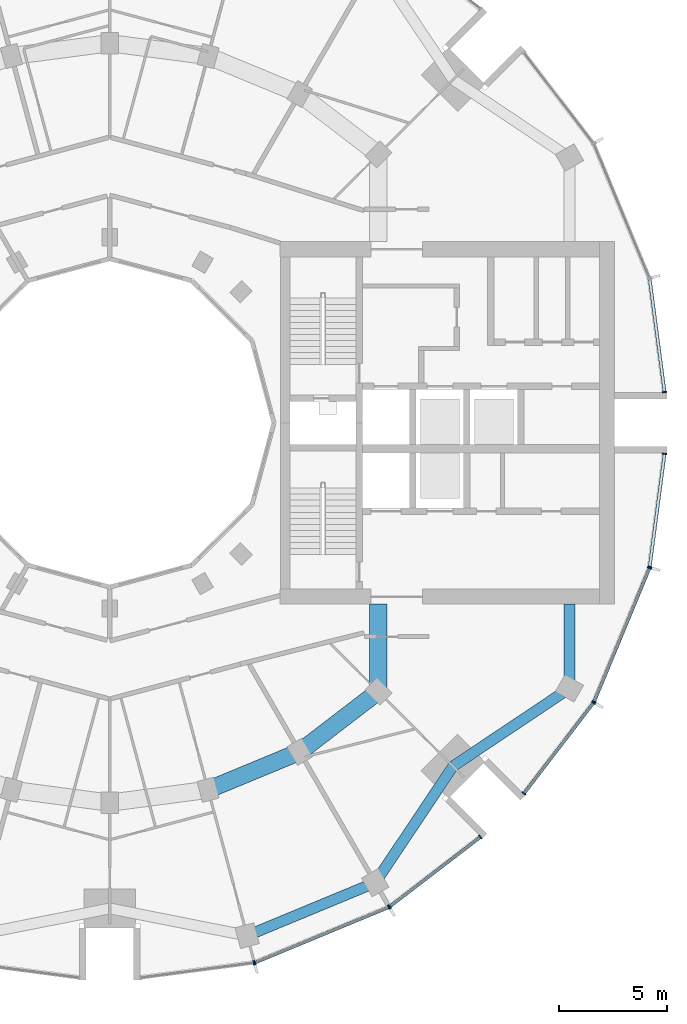
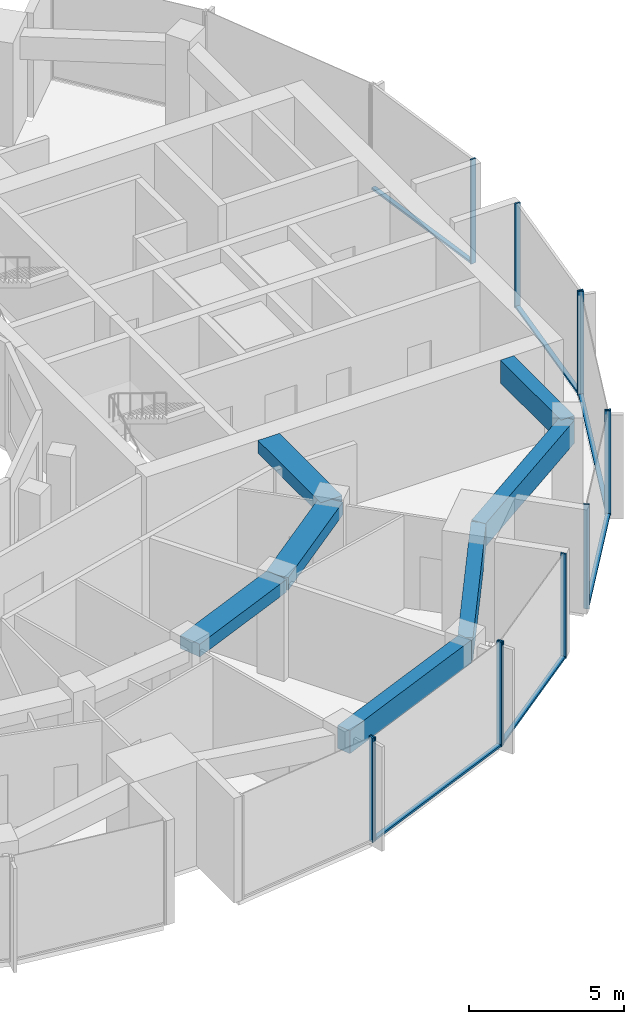
# One storey, part 4 of 15: 18 members, 7 beams, 7 elements without a shape of their own.
"""IFC4 building model written with IfcOpenShell, lengths in metres."""

from ifc_helpers import new_model, si_unit, direction, frame, origin, origin_2d, place, context, subcontext, project, spatial, rectangle, extrude, material, layer, layer_set, material_profile, profile_set, type_object, element, aggregate, save


model = new_model("IFC4")

# Units and contexts
model_context = context("Model", 3, precision=1e-05, world=origin(), true_north=direction((0.0, 1.0)))
body_context = subcontext(model_context, "Body", "Model", "MODEL_VIEW")
ifc_project = project(units=[si_unit("LENGTHUNIT", "METRE"), si_unit("AREAUNIT", "SQUARE_METRE"), si_unit("VOLUMEUNIT", "CUBIC_METRE"), si_unit("PLANEANGLEUNIT", "RADIAN"), si_unit("MASSUNIT", "GRAM", prefix="KILO")], contexts=[model_context])

# Site, building, storey
site_placement = place(None, origin())
site = spatial("IfcSite", under=ifc_project, at=site_placement, CompositionType="ELEMENT")
building_placement = place(site_placement, origin())
building = spatial("IfcBuilding", under=site, at=building_placement, Name="Torre Brocal", CompositionType="ELEMENT")
storey_placement = place(building_placement, frame((0.0, 0.0, 198.699951171875)))
storey = spatial("IfcBuildingStorey", under=building, at=storey_placement, Name="L46", CompositionType="ELEMENT", Elevation=198.699951171875)

# Curtain wall, member
ifc_material_1 = material(Name="Aluminium and glass", Category="aluminium")
ifc_layer_1 = layer(ifc_material_1, 0.199951171875)
ifc_layer_set_1 = layer_set([ifc_layer_1], Name="Aluminium and glass")
curtain_wall_type_1 = type_object("IfcCurtainWallType", Name="CW-1 CURTAIN WALL 4100 HIGH", PredefinedType="NOTDEFINED", material=ifc_layer_set_1)
curtain_wall_1_placement = place(storey_placement, origin())
curtain_wall_1 = element("IfcCurtainWall", 1, at=curtain_wall_1_placement, inside=storey, type_object=curtain_wall_type_1, Name="CW-1 RUN 19", PredefinedType="NOTDEFINED")
ifc_material_2 = material(Name="Aluminium, dark anodised", Category="aluminium")
ifc_material_profile_1 = material_profile(ifc_material_2, rectangle(XDim=0.199951171875, YDim=0.06005859375, at=origin_2d()), Name="CW-1 MULLION 60X200")
ifc_profile_set_1 = profile_set([ifc_material_profile_1], Name="Aluminium, dark anodised")
member_type_1 = type_object("IfcMemberType", Name="CW-1 MULLION 60X200", PredefinedType="MULLION", material=ifc_profile_set_1)
member_1_placement = place(storey_placement, frame((86.67333984375, 49.9794921875, 0.0), z_axis=(0.0, 0.0, 1.0), x_axis=(-0.13052619222, 0.991444861374, 0.0)))
member_1 = element("IfcMember", 2, at=member_1_placement, type_object=member_type_1, Name="CW1-4 mullion 2", PredefinedType="MULLION", context=body_context, shape_type="SweptSolid", body=[
    extrude(rectangle(XDim=0.199951171875, YDim=0.06005859375, at=origin_2d()), origin(), (0.0, 0.0, 1.0), 4.10009765625),
])
aggregate(curtain_wall_1, [member_1])

# Curtain wall, members
curtain_wall_2_placement = place(storey_placement, origin())
curtain_wall_2 = element("IfcCurtainWall", 3, at=curtain_wall_2_placement, inside=storey, type_object=curtain_wall_type_1, Name="CW-1 RUN 20", PredefinedType="NOTDEFINED")
member_2_placement = place(storey_placement, frame((86.73095703125, 49.994873046875, 0.0), z_axis=(0.0, 0.0, 1.0), x_axis=(-0.382683432333, 0.923879532525, 0.0)))
member_2 = element("IfcMember", 4, at=member_2_placement, type_object=member_type_1, Name="CW1-4 mullion 1", PredefinedType="MULLION", context=body_context, shape_type="SweptSolid", body=[
    extrude(rectangle(XDim=0.199951171875, YDim=0.06005859375, at=origin_2d()), origin(), (0.0, 0.0, 1.0), 4.10009765625),
])
member_3_placement = place(storey_placement, frame((92.921875, 52.559326171875, 0.0), z_axis=(0.0, 0.0, 1.0), x_axis=(-0.382683432333, 0.923879532525, 0.0)))
member_3 = element("IfcMember", 5, at=member_3_placement, type_object=member_type_1, Name="CW1-4 mullion 2", PredefinedType="MULLION", context=body_context, shape_type="SweptSolid", body=[
    extrude(rectangle(XDim=0.199951171875, YDim=0.06005859375, at=origin_2d()), origin(), (0.0, 0.0, 1.0), 4.10009765625),
])

curtain_wall_3_placement = place(storey_placement, origin())
curtain_wall_3 = element("IfcCurtainWall", 6, at=curtain_wall_3_placement, inside=storey, type_object=curtain_wall_type_1, Name="CW-1 RUN 21", PredefinedType="NOTDEFINED")
member_4_placement = place(storey_placement, frame((92.973388671875, 52.5888671875, 0.0), z_axis=(0.0, 0.0, 1.0), x_axis=(-0.60876142905, 0.793353340259, 0.0)))
member_4 = element("IfcMember", 7, at=member_4_placement, type_object=member_type_1, Name="CW1-4 mullion 1", PredefinedType="MULLION", context=body_context, shape_type="SweptSolid", body=[
    extrude(rectangle(XDim=0.199951171875, YDim=0.06005859375, at=origin_2d()), origin(), (0.0, 0.0, 1.0), 4.10009765625),
])
member_5_placement = place(storey_placement, frame((97.16943359375, 55.80859375, 0.0), z_axis=(0.0, 0.0, 1.0), x_axis=(-0.60876142905, 0.793353340259, 0.0)))
member_5 = element("IfcMember", 8, at=member_5_placement, type_object=member_type_1, Name="CW1-4 mullion 2", PredefinedType="MULLION", context=body_context, shape_type="SweptSolid", body=[
    extrude(rectangle(XDim=0.199951171875, YDim=0.06005859375, at=origin_2d()), origin(), (0.0, 0.0, 1.0), 4.10009765625),
])

curtain_wall_4_placement = place(storey_placement, origin())
curtain_wall_4 = element("IfcCurtainWall", 9, at=curtain_wall_4_placement, inside=storey, type_object=curtain_wall_type_1, Name="CW-1 RUN 22", PredefinedType="NOTDEFINED")
member_6_placement = place(storey_placement, frame((99.19140625, 57.83056640625, 0.0), z_axis=(0.0, 0.0, 1.0), x_axis=(-0.793353340259, 0.60876142905, 0.0)))
member_6 = element("IfcMember", 10, at=member_6_placement, type_object=member_type_1, Name="CW1-4 mullion 1", PredefinedType="MULLION", context=body_context, shape_type="SweptSolid", body=[
    extrude(rectangle(XDim=0.199951171875, YDim=0.06005859375, at=origin_2d()), origin(), (0.0, 0.0, 1.0), 4.10009765625),
])
member_7_placement = place(storey_placement, frame((102.4111328125, 62.026611328125, 0.0), z_axis=(0.0, 0.0, 1.0), x_axis=(-0.793353340259, 0.60876142905, 0.0)))
member_7 = element("IfcMember", 11, at=member_7_placement, type_object=member_type_1, Name="CW1-4 mullion 2", PredefinedType="MULLION", context=body_context, shape_type="SweptSolid", body=[
    extrude(rectangle(XDim=0.199951171875, YDim=0.06005859375, at=origin_2d()), origin(), (0.0, 0.0, 1.0), 4.10009765625),
])

curtain_wall_5_placement = place(storey_placement, origin())
curtain_wall_5 = element("IfcCurtainWall", 12, at=curtain_wall_5_placement, inside=storey, type_object=curtain_wall_type_1, Name="CW-1 RUN 23", PredefinedType="NOTDEFINED")
member_8_placement = place(storey_placement, frame((102.440673828125, 62.078125, 0.0), z_axis=(0.0, 0.0, 1.0), x_axis=(-0.923879532525, 0.382683432333, 0.0)))
member_8 = element("IfcMember", 13, at=member_8_placement, type_object=member_type_1, Name="CW1-4 mullion 1", PredefinedType="MULLION", context=body_context, shape_type="SweptSolid", body=[
    extrude(rectangle(XDim=0.199951171875, YDim=0.06005859375, at=origin_2d()), origin(), (0.0, 0.0, 1.0), 4.10009765625),
])
member_9_placement = place(storey_placement, frame((105.005126953125, 68.26904296875, 0.0), z_axis=(0.0, 0.0, 1.0), x_axis=(-0.923879532525, 0.382683432333, 0.0)))
member_9 = element("IfcMember", 14, at=member_9_placement, type_object=member_type_1, Name="CW1-4 mullion 2", PredefinedType="MULLION", context=body_context, shape_type="SweptSolid", body=[
    extrude(rectangle(XDim=0.199951171875, YDim=0.06005859375, at=origin_2d()), origin(), (0.0, 0.0, 1.0), 4.10009765625),
])

# Member
ifc_material_3 = material(Name="Aluminium, dark anodised", Category="aluminium")
ifc_material_profile_2 = material_profile(ifc_material_3, rectangle(XDim=0.159912109375, YDim=0.080078125, at=origin_2d()), Name="CW-1 TRANSOM 160X80")
ifc_profile_set_2 = profile_set([ifc_material_profile_2], Name="Aluminium, dark anodised")
member_type_2 = type_object("IfcMemberType", Name="CW-1 TRANSOM 160X80", PredefinedType="USERDEFINED", material=ifc_profile_set_2)
member_10_placement = place(storey_placement, frame((86.758544921875, 50.00634765625, 0.0400390625), z_axis=(0.923887344364, 0.38266457234, 0.0), x_axis=(-0.38266457234, 0.923887344364, 0.0)))
member_10 = element("IfcMember", 15, at=member_10_placement, type_object=member_type_2, Name="CW1-4 transom 1.1", ObjectType="TRANSOM", PredefinedType="USERDEFINED", context=body_context, shape_type="SweptSolid", body=[
    extrude(rectangle(XDim=0.159912109375, YDim=0.080078125, at=origin_2d()), origin(), (0.0, 0.0, 1.0), 6.640869140625),
])

aggregate(curtain_wall_2, [member_2, member_3, member_10])

member_11_placement = place(storey_placement, frame((92.9970703125, 52.607177734375, 0.0400390625), z_axis=(0.79336281513, 0.60874908096, 0.0), x_axis=(-0.60874908096, 0.79336281513, 0.0)))
member_11 = element("IfcMember", 16, at=member_11_placement, type_object=member_type_2, Name="CW1-4 transom 1.1", ObjectType="TRANSOM", PredefinedType="USERDEFINED", context=body_context, shape_type="SweptSolid", body=[
    extrude(rectangle(XDim=0.159912109375, YDim=0.080078125, at=origin_2d()), origin(), (0.0, 0.0, 1.0), 5.22900390625),
])

aggregate(curtain_wall_3, [member_4, member_5, member_11])

member_12_placement = place(storey_placement, frame((99.209716796875, 57.8544921875, 0.0400390625), z_axis=(0.60874908096, 0.79336281513, 0.0), x_axis=(-0.79336281513, 0.60874908096, 0.0)))
member_12 = element("IfcMember", 17, at=member_12_placement, type_object=member_type_2, Name="CW1-4 transom 1.1", ObjectType="TRANSOM", PredefinedType="USERDEFINED", context=body_context, shape_type="SweptSolid", body=[
    extrude(rectangle(XDim=0.159912109375, YDim=0.080078125, at=origin_2d()), origin(), (0.0, 0.0, 1.0), 5.22900390625),
])

aggregate(curtain_wall_4, [member_6, member_7, member_12])

member_13_placement = place(storey_placement, frame((102.452392578125, 62.10595703125, 0.0400390625), z_axis=(0.38266457234, 0.923887344364, 0.0), x_axis=(-0.923887344364, 0.38266457234, 0.0)))
member_13 = element("IfcMember", 18, at=member_13_placement, type_object=member_type_2, Name="CW1-4 transom 1.1", ObjectType="TRANSOM", PredefinedType="USERDEFINED", context=body_context, shape_type="SweptSolid", body=[
    extrude(rectangle(XDim=0.159912109375, YDim=0.080078125, at=origin_2d()), origin(), (0.0, 0.0, 1.0), 6.640869140625),
])

aggregate(curtain_wall_5, [member_8, member_9, member_13])

# Curtain wall, member
ifc_material_4 = material(Name="Aluminium and glass", Category="aluminium")
ifc_layer_2 = layer(ifc_material_4, 0.199951171875)
ifc_layer_set_2 = layer_set([ifc_layer_2], Name="Aluminium and glass")
curtain_wall_type_2 = type_object("IfcCurtainWallType", Name="CW-1B CURTAIN WALL 4100 HIGH", PredefinedType="NOTDEFINED", material=ifc_layer_set_2)
curtain_wall_6_placement = place(storey_placement, origin())
curtain_wall_6 = element("IfcCurtainWall", 19, at=curtain_wall_6_placement, inside=storey, type_object=curtain_wall_type_2, Name="CW-1B RUN 1", PredefinedType="NOTDEFINED")
ifc_material_5 = material(Name="Aluminium, dark anodised", Category="aluminium")
ifc_material_profile_3 = material_profile(ifc_material_5, rectangle(XDim=0.199951171875, YDim=0.06005859375, at=origin_2d()), Name="CW-1B MULLION 60X200")
ifc_profile_set_3 = profile_set([ifc_material_profile_3], Name="Aluminium, dark anodised")
member_type_3 = type_object("IfcMemberType", Name="CW-1B MULLION 60X200", PredefinedType="MULLION", material=ifc_profile_set_3)
member_14_placement = place(storey_placement, frame((105.7109375, 76.4296875, 0.0), z_axis=(0.0, 0.0, 1.0), x_axis=(-0.991444861374, -0.13052619222, 0.0)))
member_14 = element("IfcMember", 20, at=member_14_placement, type_object=member_type_3, Name="CW1B-4 mullion 1", PredefinedType="MULLION", context=body_context, shape_type="SweptSolid", body=[
    extrude(rectangle(XDim=0.199951171875, YDim=0.06005859375, at=origin_2d()), origin(), (0.0, 0.0, 1.0), 4.10009765625),
])

# Curtain wall, members
curtain_wall_7_placement = place(storey_placement, origin())
curtain_wall_7 = element("IfcCurtainWall", 21, at=curtain_wall_7_placement, inside=storey, type_object=curtain_wall_type_2, Name="CW-1B RUN 24", PredefinedType="NOTDEFINED")
member_15_placement = place(storey_placement, frame((105.0205078125, 68.32666015625, 0.0), z_axis=(0.0, 0.0, 1.0), x_axis=(-0.991444861374, 0.13052619222, 0.0)))
member_15 = element("IfcMember", 22, at=member_15_placement, type_object=member_type_3, Name="CW1B-4 mullion 1", PredefinedType="MULLION", context=body_context, shape_type="SweptSolid", body=[
    extrude(rectangle(XDim=0.199951171875, YDim=0.06005859375, at=origin_2d()), origin(), (0.0, 0.0, 1.0), 4.10009765625),
])
member_16_placement = place(storey_placement, frame((105.7109375, 73.5703125, 0.0), z_axis=(0.0, 0.0, 1.0), x_axis=(-0.991444861374, 0.13052619222, 0.0)))
member_16 = element("IfcMember", 23, at=member_16_placement, type_object=member_type_3, Name="CW1B-4 mullion 2", PredefinedType="MULLION", context=body_context, shape_type="SweptSolid", body=[
    extrude(rectangle(XDim=0.199951171875, YDim=0.06005859375, at=origin_2d()), origin(), (0.0, 0.0, 1.0), 4.10009765625),
])

# Member
ifc_material_6 = material(Name="Aluminium, dark anodised", Category="aluminium")
ifc_material_profile_4 = material_profile(ifc_material_6, rectangle(XDim=0.159912109375, YDim=0.080078125, at=origin_2d()), Name="CW-1B TRANSOM 160X80")
ifc_profile_set_4 = profile_set([ifc_material_profile_4], Name="Aluminium, dark anodised")
member_type_4 = type_object("IfcMemberType", Name="CW-1B TRANSOM 160X80", PredefinedType="USERDEFINED", material=ifc_profile_set_4)
member_17_placement = place(storey_placement, frame((105.70703125, 76.45947265625, 0.0400390625), z_axis=(-0.130542677827, 0.991442690863, 0.0), x_axis=(-0.991442690863, -0.130542677827, 0.0)))
member_17 = element("IfcMember", 24, at=member_17_placement, type_object=member_type_4, Name="CW1B-4 transom 1.1", ObjectType="TRANSOM", PredefinedType="USERDEFINED", context=body_context, shape_type="SweptSolid", body=[
    extrude(rectangle(XDim=0.159912109375, YDim=0.080078125, at=origin_2d()), origin(), (0.0, 0.0, 1.0), 5.22900390625),
])

aggregate(curtain_wall_6, [member_14, member_17])

member_18_placement = place(storey_placement, frame((105.0244140625, 68.356201171875, 0.0400390625), z_axis=(0.130542677827, 0.991442690863, 0.0), x_axis=(-0.991442690863, 0.130542677827, 0.0)))
member_18 = element("IfcMember", 25, at=member_18_placement, type_object=member_type_4, Name="CW1B-4 transom 1.1", ObjectType="TRANSOM", PredefinedType="USERDEFINED", context=body_context, shape_type="SweptSolid", body=[
    extrude(rectangle(XDim=0.159912109375, YDim=0.080078125, at=origin_2d()), origin(), (0.0, 0.0, 1.0), 5.22900390625),
])

aggregate(curtain_wall_7, [member_15, member_16, member_18])

# Beams
ifc_material_7 = material(Name="Concrete C50", Category="concrete")
ifc_material_profile_5 = material_profile(ifc_material_7, rectangle(XDim=0.800048828125, YDim=0.5, at=origin_2d()), Name="RC 800X500")
ifc_profile_set_5 = profile_set([ifc_material_profile_5], Name="Concrete C50")
beam_type_1 = type_object("IfcBeamType", Name="RC BEAM 800X500 C50 TOP 3780", PredefinedType="BEAM", material=ifc_profile_set_5)
beam_1_placement = place(storey_placement, frame((84.55517578125, 57.999755859375, 3.530029296875), z_axis=(0.923878240166, 0.382686552348, 0.0), x_axis=(-0.382686552348, 0.923878240166, 0.0)))
element("IfcBeam", 26, at=beam_1_placement, inside=storey, type_object=beam_type_1, Name="Beam BT-32", PredefinedType="BEAM", context=body_context, shape_type="SweptSolid", body=[
    extrude(rectangle(XDim=0.800048828125, YDim=0.5, at=origin_2d()), origin(), (0.0, 0.0, 1.0), 4.5947265625),
])
beam_2_placement = place(storey_placement, frame((88.800048828125, 59.758056640625, 3.530029296875), z_axis=(0.793358265959, 0.6087550097, 0.0), x_axis=(-0.6087550097, 0.793358265959, 0.0)))
element("IfcBeam", 27, at=beam_2_placement, inside=storey, type_object=beam_type_1, Name="Beam BT-32", PredefinedType="BEAM", context=body_context, shape_type="SweptSolid", body=[
    extrude(rectangle(XDim=0.800048828125, YDim=0.5, at=origin_2d()), origin(), (0.0, 0.0, 1.0), 4.594482421875),
])
beam_3_placement = place(storey_placement, frame((92.445068359375, 62.554931640625, 3.530029296875), z_axis=(0.0, 1.0, 0.0), x_axis=(-1.0, 0.0, 0.0)))
element("IfcBeam", 28, at=beam_3_placement, inside=storey, type_object=beam_type_1, Name="Beam BT-32", PredefinedType="BEAM", context=body_context, shape_type="SweptSolid", body=[
    extrude(rectangle(XDim=0.800048828125, YDim=0.5, at=origin_2d()), origin(), (0.0, 0.0, 1.0), 4.045166015625),
])
ifc_material_8 = material(Name="Concrete C50", Category="concrete")
ifc_material_profile_6 = material_profile(ifc_material_8, rectangle(XDim=0.5, YDim=0.89990234375, at=origin_2d()), Name="RC 500X900")
ifc_profile_set_6 = profile_set([ifc_material_profile_6], Name="Concrete C50")
beam_type_2 = type_object("IfcBeamType", Name="RC SPANDREL BEAM 500X900 C50 TOP 3780", PredefinedType="SPANDREL", material=ifc_profile_set_6)
beam_4_placement = place(storey_placement, frame((86.366943359375, 51.23828125, 3.330078125), z_axis=(0.923882462513, 0.382676358639, 0.0), x_axis=(-0.382676358639, 0.923882462513, 0.0)))
element("IfcBeam", 29, at=beam_4_placement, inside=storey, type_object=beam_type_2, Name="Beam BT-33", PredefinedType="SPANDREL", context=body_context, shape_type="SweptSolid", body=[
    extrude(rectangle(XDim=0.5, YDim=0.89990234375, at=origin_2d()), origin(), (0.0, 0.0, 1.0), 6.421875),
])
for number, where, z_axis, x_axis, name in (
    (30, (92.300048828125, 53.69580078125, 3.330078125), (0.556157602282, 0.831076844476, 0.0), (-0.831076844476, 0.556157602282, 0.0), "Beam BT-33"),
    (31, (95.909912109375, 59.090087890625, 3.330078125), (0.831076844476, 0.556157602282, 0.0), (-0.556157602282, 0.831076844476, 0.0), "Beam BT-33"),
):
    element("IfcBeam", number, at=place(storey_placement, frame(where, z_axis=z_axis, x_axis=x_axis)), inside=storey, type_object=beam_type_2, Name=name, PredefinedType="SPANDREL", context=body_context, shape_type="SweptSolid", body=[
        extrude(rectangle(XDim=0.5, YDim=0.89990234375, at=origin_2d()), origin(), (0.0, 0.0, 1.0), 6.49072265625),
    ])
beam_5_placement = place(storey_placement, frame((101.30419921875, 62.699951171875, 3.330078125), z_axis=(0.0, 1.0, 0.0), x_axis=(-1.0, 0.0, 0.0)))
element("IfcBeam", 32, at=beam_5_placement, inside=storey, type_object=beam_type_2, Name="Beam BT-33", PredefinedType="SPANDREL", context=body_context, shape_type="SweptSolid", body=[
    extrude(rectangle(XDim=0.5, YDim=0.89990234375, at=origin_2d()), origin(), (0.0, 0.0, 1.0), 3.900146484375),
])

save(model, "model.ifc")
